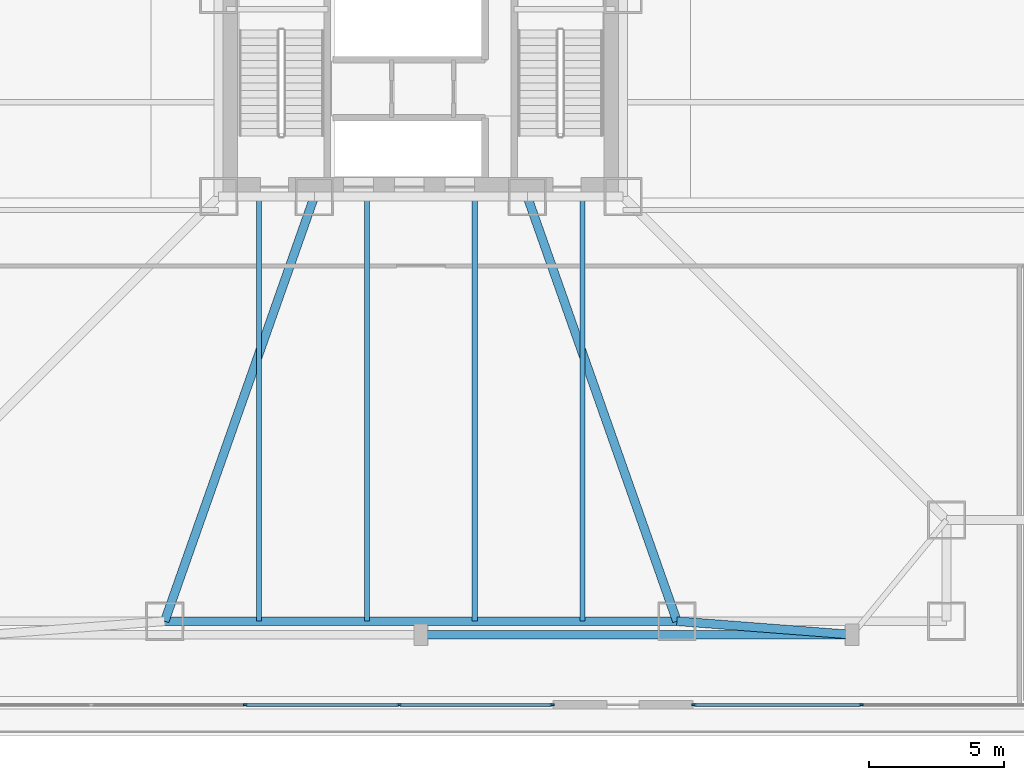
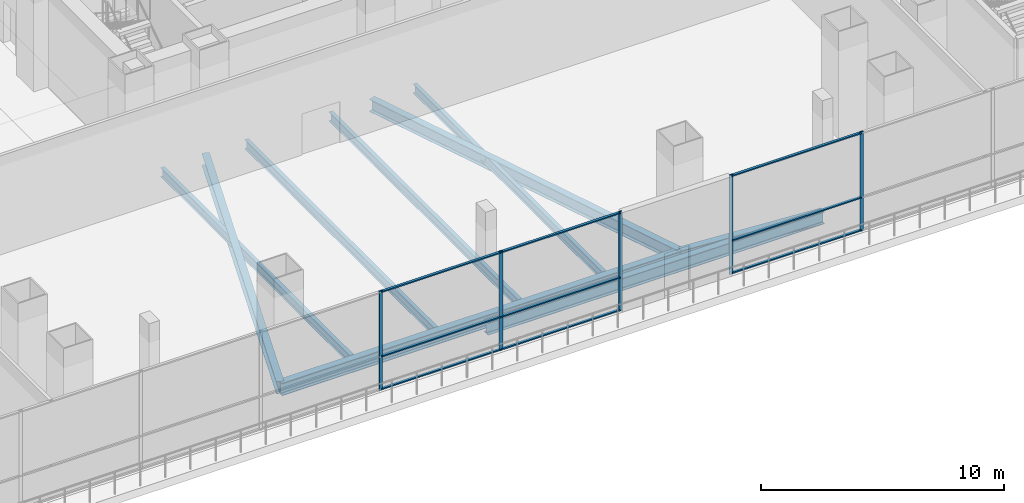
# One storey, part 9 of 35: 14 members, 9 beams, 2 elements without a shape of their own.
"""IFC4 building model written with IfcOpenShell, lengths in metres."""

import ifcopenshell
import ifcopenshell.guid

model = None  # the IFC model being written
_history = None  # IfcOwnerHistory: only IFC2X3 demands one
_inside = {}  # id of a spatial element -> (the spatial element, [elements in it])
_under = {}  # id of a project, library or spatial element -> (it, [spatial elements below it])
_declared = {}  # id of a project -> (the project, [libraries it declares])
_typed = {}  # id of a type object -> (the type object, [elements of that type])
_made_of = {}  # id of a material, layer set ... -> (it, [elements and type objects made of it])


def new_model(schema):
    """Start an empty IFC model of exactly this schema.

    Asked for "IFC4X3", IfcOpenShell would pick the latest addendum, in which some entities
    have other attributes; the version numbers below select the first issue.
    IFC2X3 requires an IfcOwnerHistory on every rooted entity: one is made here for all.
    """
    global model, _history
    if schema == "IFC4X3":
        model = ifcopenshell.file(schema_version=(4, 3, 0, 0))
    else:
        model = ifcopenshell.file(schema=schema)
    _inside.clear()
    _under.clear()
    _declared.clear()
    _typed.clear()
    _made_of.clear()
    _history = None
    if model.schema == "IFC2X3":
        org = make("IfcOrganization", Name="unknown")
        user = make(
            "IfcPersonAndOrganization",
            ThePerson=make("IfcPerson", FamilyName="unknown"),
            TheOrganization=org,
        )
        app = make(
            "IfcApplication",
            ApplicationDeveloper=org,
            Version="unknown",
            ApplicationFullName="unknown",
            ApplicationIdentifier="unknown",
        )
        _history = make(
            "IfcOwnerHistory",
            OwningUser=user,
            OwningApplication=app,
            ChangeAction="ADDED",
            CreationDate=0,
        )
    return model


def make(cls, **values):
    """One entity of the class cls with the attributes given. An attribute that is None is left unset."""
    return model.create_entity(
        cls, **{name: value for name, value in values.items() if value is not None}
    )


def rooted(cls, **values):
    """An entity with a GlobalId (a new one), such as an element, a storey or a relation."""
    return make(cls, GlobalId=ifcopenshell.guid.new(), OwnerHistory=_history, **values)


def si_unit(unit_type, name, prefix=None):
    """IfcSIUnit, for example si_unit("LENGTHUNIT", "METRE", prefix="MILLI")."""
    return make("IfcSIUnit", UnitType=unit_type, Prefix=prefix, Name=name)


def assignment(units):
    """IfcUnitAssignment: the units of a project."""
    return None if units is None else make("IfcUnitAssignment", Units=units)


def point(xyz):
    """IfcCartesianPoint."""
    return None if xyz is None else make("IfcCartesianPoint", Coordinates=xyz)


def direction(xyz):
    """IfcDirection."""
    return None if xyz is None else make("IfcDirection", DirectionRatios=xyz)


def frame(location, z_axis=None, x_axis=None):
    """IfcAxis2Placement3D, a coordinate frame: its origin and axes. An axis left out is left unset."""
    return make(
        "IfcAxis2Placement3D",
        Location=point(location),
        Axis=direction(z_axis),
        RefDirection=direction(x_axis),
    )


def frame_2d(location, x_axis=None):
    """IfcAxis2Placement2D, a coordinate frame in the plane: its origin and x axis."""
    return make(
        "IfcAxis2Placement2D", Location=point(location), RefDirection=direction(x_axis)
    )


def origin():
    """The frame at (0, 0, 0) with its axes left unset."""
    return frame((0.0, 0.0, 0.0))


def origin_2d():
    """The frame at (0, 0) in the plane with its x axis left unset."""
    return frame_2d((0.0, 0.0))


def place(relative_to, where):
    """IfcLocalPlacement: puts the frame where relative to a parent placement (None: the world)."""
    return make(
        "IfcLocalPlacement", PlacementRelTo=relative_to, RelativePlacement=where
    )


def context(
    kind, dimensions, precision=None, world=None, true_north=None, identifier=None
):
    """IfcGeometricRepresentationContext, for example the 3D "Model" context."""
    return make(
        "IfcGeometricRepresentationContext",
        ContextIdentifier=identifier,
        ContextType=kind,
        CoordinateSpaceDimension=dimensions,
        Precision=precision,
        WorldCoordinateSystem=world,
        TrueNorth=true_north,
    )


def subcontext(parent, identifier, kind, view, scale=None):
    """IfcGeometricRepresentationSubContext, for example "Body" below "Model"."""
    return make(
        "IfcGeometricRepresentationSubContext",
        ContextIdentifier=identifier,
        ContextType=kind,
        ParentContext=parent,
        TargetScale=scale,
        TargetView=view,
    )


def project(units=None, contexts=None):
    """IfcProject with its units and contexts."""
    return rooted(
        "IfcProject",
        Name="project",
        RepresentationContexts=contexts,
        UnitsInContext=assignment(units),
    )


def spatial(cls, under=None, at=None, **own):
    """A site, building, storey or space (cls), placed at a placement, below another one or the project."""
    s = rooted(cls, ObjectPlacement=at, **own)
    if under is not None:
        _under.setdefault(under.id(), (under, []))[1].append(s)
    return s


def profile(cls, at=None, kind="AREA", **sizes):
    """A parametric profile (cls). Its sizes go by their IFC names, for example OverallWidth=200.0."""
    return make(cls, ProfileType=kind, Position=at, **sizes)


def rectangle(**sizes):
    """IfcRectangleProfileDef."""
    return profile("IfcRectangleProfileDef", **sizes)


def i_section(**sizes):
    """IfcIShapeProfileDef."""
    return profile("IfcIShapeProfileDef", **sizes)


def extrude(swept, where, along, depth):
    """IfcExtrudedAreaSolid: the profile swept, set in the frame where, extruded along a direction by depth."""
    return make(
        "IfcExtrudedAreaSolid",
        SweptArea=swept,
        Position=where,
        ExtrudedDirection=direction(along),
        Depth=depth,
    )


def shape(context_of_items, identifier, shape_type, items):
    """IfcShapeRepresentation: the items that make up one representation, for example the "Body"."""
    return make(
        "IfcShapeRepresentation",
        ContextOfItems=context_of_items,
        RepresentationIdentifier=identifier,
        RepresentationType=shape_type,
        Items=items,
    )


def material(Name=None, Category=None):
    """IfcMaterial."""
    return make("IfcMaterial", Name=Name, Category=Category)


def layer(
    of_material, thickness, ventilated=None, Name=None, Category=None, Priority=None
):
    """IfcMaterialLayer: one layer of a wall or slab, of a material (None: an air gap)."""
    return make(
        "IfcMaterialLayer",
        Material=of_material,
        LayerThickness=thickness,
        IsVentilated=ventilated,
        Name=Name,
        Category=Category,
        Priority=Priority,
    )


def layer_set(layers, Name=None):
    """IfcMaterialLayerSet."""
    return make("IfcMaterialLayerSet", MaterialLayers=layers, LayerSetName=Name)


def material_profile(
    of_material, cross_section, Name=None, Category=None, Priority=None
):
    """IfcMaterialProfile: a cross section and its material."""
    return make(
        "IfcMaterialProfile",
        Name=Name,
        Material=of_material,
        Profile=cross_section,
        Priority=Priority,
        Category=Category,
    )


def profile_set(profiles, Name=None, composite=None):
    """IfcMaterialProfileSet."""
    return make(
        "IfcMaterialProfileSet",
        Name=Name,
        MaterialProfiles=profiles,
        CompositeProfile=composite,
    )


def made_of(thing, what):
    """Note that an element or type object is made of a material, layer set ...; save() writes the relation."""
    if what is not None:
        _made_of.setdefault(what.id(), (what, []))[1].append(thing)
    return thing


def type_object(cls, material=None, **own):
    """A type object (cls), such as IfcWallType, which elements share."""
    return made_of(rooted(cls, **own), material)


def element(
    cls,
    number,
    at=None,
    inside=None,
    cuts=None,
    type_object=None,
    material=None,
    context=None,
    identifier="Body",
    shape_type=None,
    held_by="IfcProductDefinitionShape",
    body=None,
    shapes=None,
    **own,
):
    """One element of the class cls, such as IfcWall. Its Tag is "e" and its number.

    at: its placement. inside: the storey or other place that contains it. cuts: it is an
    opening in that element (IfcRelVoidsElement). A single representation is given by context,
    identifier, shape_type and body (its items); several are given by shapes. held_by: the class
    of the entity that holds the representations. save() writes the other relations.
    """
    e = rooted(cls, Tag="e%d" % number, ObjectPlacement=at, **own)
    if body is not None:
        shapes = [shape(context, identifier, shape_type, body)]
    if shapes is not None:
        e.Representation = make(held_by, Representations=shapes)
    if inside is not None:
        _inside.setdefault(inside.id(), (inside, []))[1].append(e)
    if cuts is not None:
        rooted(
            "IfcRelVoidsElement", RelatingBuildingElement=cuts, RelatedOpeningElement=e
        )
    if type_object is not None:
        _typed.setdefault(type_object.id(), (type_object, []))[1].append(e)
    return made_of(e, material)


def aggregate(whole, parts):
    """IfcRelAggregates: a whole, such as a stair, and the parts it consists of."""
    return rooted("IfcRelAggregates", RelatingObject=whole, RelatedObjects=parts)


def save(model, path):
    """Write the relations noted so far, then the file.

    IfcRelAggregates (storeys below a building ...), IfcRelContainedInSpatialStructure (elements
    in a storey), IfcRelDefinesByType, IfcRelAssociatesMaterial and IfcRelDeclares: one each for
    every whole, place, type object, material and project.
    """
    for whole, parts in _under.values():
        aggregate(whole, parts)
    for where, things in _inside.values():
        rooted(
            "IfcRelContainedInSpatialStructure",
            RelatedElements=things,
            RelatingStructure=where,
        )
    for kind, things in _typed.values():
        rooted("IfcRelDefinesByType", RelatedObjects=things, RelatingType=kind)
    for what, things in _made_of.values():
        rooted("IfcRelAssociatesMaterial", RelatedObjects=things, RelatingMaterial=what)
    for by, libraries in _declared.values():
        rooted("IfcRelDeclares", RelatingContext=by, RelatedDefinitions=libraries)
    model.write(path)


model = new_model("IFC4")

# Units and contexts
model_context = context("Model", 3, precision=1e-05, world=origin(), true_north=direction((0.0, 1.0)))
body_context = subcontext(model_context, "Body", "Model", "MODEL_VIEW")
ifc_project = project(units=[si_unit("LENGTHUNIT", "METRE"), si_unit("AREAUNIT", "SQUARE_METRE"), si_unit("VOLUMEUNIT", "CUBIC_METRE"), si_unit("PLANEANGLEUNIT", "RADIAN"), si_unit("MASSUNIT", "GRAM", prefix="KILO")], contexts=[model_context])

# Site, building, storey
site_placement = place(None, origin())
site = spatial("IfcSite", under=ifc_project, at=site_placement, CompositionType="ELEMENT")
building_placement = place(site_placement, origin())
building = spatial("IfcBuilding", under=site, at=building_placement, Name="Trevonay Congress Spire", CompositionType="ELEMENT")
storey_placement = place(building_placement, frame((0.0, 0.0, 10.800048828125)))
storey = spatial("IfcBuildingStorey", under=building, at=storey_placement, Name="L02", CompositionType="ELEMENT", Elevation=10.800048828125)

# Beams
ifc_material_1 = material(Name="Steel ASTM A572 Grade 50", Category="steel")
ifc_material_profile_1 = material_profile(ifc_material_1, i_section(OverallWidth=0.324951171875, OverallDepth=0.615966796875, WebThickness=0.013916015625, FlangeThickness=0.021484375, FilletRadius=0.01806640625, at=origin_2d()), Name="W610x174")
ifc_profile_set_1 = profile_set([ifc_material_profile_1], Name="Steel ASTM A572 Grade 50")
beam_type_1 = type_object("IfcBeamType", Name="BM-GIRD-W610X174", PredefinedType="BEAM", material=ifc_profile_set_1)
for number, where, z_axis, x_axis, name in (
    (1, (-3.949951171875, -7.5, -0.7080078125), (-0.332352826786, -0.943155129619, 0.0), (0.943155129619, -0.332352826786, 0.0), "L02 structural beam BM-L02-RAD-S1"),
    (2, (3.949951171875, -7.5, -0.7080078125), (0.332352826786, -0.943155129619, 0.0), (0.943155129619, 0.332352826786, 0.0), "L02 structural beam BM-L02-RAD-S2"),
):
    element("IfcBeam", number, at=place(storey_placement, frame(where, z_axis=z_axis, x_axis=x_axis)), inside=storey, type_object=beam_type_1, Name=name, PredefinedType="BEAM", context=body_context, shape_type="SweptSolid", body=[
        extrude(i_section(OverallWidth=0.324951171875, OverallDepth=0.615966796875, WebThickness=0.013916015625, FlangeThickness=0.021484375, FilletRadius=0.01806640625, at=origin_2d()), origin(), (0.0, 0.0, 1.0), 16.69921875),
    ])
beam_1_placement = place(storey_placement, frame((0.0, -23.75, -0.7080078125), z_axis=(1.0, 0.0, 0.0), x_axis=(0.0, 1.0, 0.0)))
element("IfcBeam", 3, at=beam_1_placement, inside=storey, type_object=beam_type_1, Name="L02 structural beam BM-L02-PIL-S2", PredefinedType="BEAM", context=body_context, shape_type="SweptSolid", body=[
    extrude(i_section(OverallWidth=0.324951171875, OverallDepth=0.615966796875, WebThickness=0.013916015625, FlangeThickness=0.021484375, FilletRadius=0.01806640625, at=origin_2d()), origin(), (0.0, 0.0, 1.0), 16.0),
])
beam_2_placement = place(storey_placement, frame((9.5, -23.25, -0.7080078125), z_axis=(0.997054485502, -0.076696498885, 0.0), x_axis=(0.076696498885, 0.997054485502, 0.0)))
element("IfcBeam", 4, at=beam_2_placement, inside=storey, type_object=beam_type_1, Name="L02 structural beam BM-L02-PIL-TS2", PredefinedType="BEAM", context=body_context, shape_type="SweptSolid", body=[
    extrude(i_section(OverallWidth=0.324951171875, OverallDepth=0.615966796875, WebThickness=0.013916015625, FlangeThickness=0.021484375, FilletRadius=0.01806640625, at=origin_2d()), origin(), (0.0, 0.0, 1.0), 6.519287109375),
])
ifc_material_profile_2 = material_profile(ifc_material_1, i_section(OverallWidth=0.3291015625, OverallDepth=0.635009765625, WebThickness=0.017822265625, FlangeThickness=0.031005859375, FilletRadius=0.01806640625, at=origin_2d()), Name="W610x241")
ifc_profile_set_2 = profile_set([ifc_material_profile_2], Name="Steel ASTM A572 Grade 50")
beam_type_2 = type_object("IfcBeamType", Name="BM-GIRD-W610X241", PredefinedType="BEAM", material=ifc_profile_set_2)
beam_3_placement = place(storey_placement, frame((-9.5, -23.25, -0.717529296875), z_axis=(1.0, 0.0, 0.0), x_axis=(0.0, 1.0, 0.0)))
element("IfcBeam", 5, at=beam_3_placement, inside=storey, type_object=beam_type_2, Name="L02 structural beam BM-L02-MS2", PredefinedType="BEAM", context=body_context, shape_type="SweptSolid", body=[
    extrude(i_section(OverallWidth=0.3291015625, OverallDepth=0.635009765625, WebThickness=0.017822265625, FlangeThickness=0.031005859375, FilletRadius=0.01806640625, at=origin_2d()), origin(), (0.0, 0.0, 1.0), 19.0),
])

# Curtain wall, members
ifc_material_2 = material(Name="Pale Anodised Aluminium EN AW-6063-T6", Category="aluminium")
ifc_layer = layer(ifc_material_2, 0.179931640625, Name="Pale Anodised Aluminium EN AW-6063-T6")
ifc_layer_set = layer_set([ifc_layer], Name="Pale Anodised Aluminium EN AW-6063-T6")
curtain_wall_type = type_object("IfcCurtainWallType", Name="CW-SYS01-PODIUM-PALE-METAL", PredefinedType="NOTDEFINED", material=ifc_layer_set)
curtain_wall_1_placement = place(storey_placement, origin())
curtain_wall_1 = element("IfcCurtainWall", 6, at=curtain_wall_1_placement, inside=storey, type_object=curtain_wall_type, Name="L02 S1 podium curtain wall", PredefinedType="NOTDEFINED")
ifc_material_profile_3 = material_profile(ifc_material_2, rectangle(XDim=0.06005859375, YDim=0.159912109375, at=origin_2d()), Name="CW-MULLION-160-ALUMINIUM")
ifc_profile_set_3 = profile_set([ifc_material_profile_3], Name="Pale Anodised Aluminium EN AW-6063-T6")
member_type_1 = type_object("IfcMemberType", Name="CW-MULLION-160-ALUMINIUM", PredefinedType="MULLION", material=ifc_profile_set_3)
member_1_placement = place(storey_placement, frame((-6.514404296875, -26.35009765625, 0.0), z_axis=(0.0, 0.0, 1.0), x_axis=(0.0, 1.0, 0.0)))
member_1 = element("IfcMember", 7, at=member_1_placement, type_object=member_type_1, Name="CW01 mullion 6", PredefinedType="MULLION", context=body_context, shape_type="SweptSolid", body=[
    extrude(rectangle(XDim=0.06005859375, YDim=0.159912109375, at=origin_2d()), origin(), (0.0, 0.0, 1.0), 5.0),
])
member_2_placement = place(storey_placement, frame((-0.80712890625, -26.35009765625, 0.0), z_axis=(0.0, 0.0, 1.0), x_axis=(0.0, 1.0, 0.0)))
member_2 = element("IfcMember", 8, at=member_2_placement, type_object=member_type_1, Name="CW01 mullion 7", PredefinedType="MULLION", context=body_context, shape_type="SweptSolid", body=[
    extrude(rectangle(XDim=0.06005859375, YDim=0.159912109375, at=origin_2d()), origin(), (0.0, 0.0, 1.0), 5.0),
])
member_3_placement = place(storey_placement, frame((4.8701171875, -26.35009765625, 0.0), z_axis=(0.0, 0.0, 1.0), x_axis=(0.0, 1.0, 0.0)))
member_3 = element("IfcMember", 9, at=member_3_placement, type_object=member_type_1, Name="CW01 mullion 8", PredefinedType="MULLION", context=body_context, shape_type="SweptSolid", body=[
    extrude(rectangle(XDim=0.06005859375, YDim=0.159912109375, at=origin_2d()), origin(), (0.0, 0.0, 1.0), 5.0),
])

curtain_wall_2_placement = place(storey_placement, origin())
curtain_wall_2 = element("IfcCurtainWall", 10, at=curtain_wall_2_placement, inside=storey, type_object=curtain_wall_type, Name="L02 S2 podium curtain wall", PredefinedType="NOTDEFINED")
member_4_placement = place(storey_placement, frame((10.1298828125, -26.35009765625, 0.0), z_axis=(0.0, 0.0, 1.0), x_axis=(0.0, 1.0, 0.0)))
member_4 = element("IfcMember", 11, at=member_4_placement, type_object=member_type_1, Name="CW01 mullion 1", PredefinedType="MULLION", context=body_context, shape_type="SweptSolid", body=[
    extrude(rectangle(XDim=0.06005859375, YDim=0.159912109375, at=origin_2d()), origin(), (0.0, 0.0, 1.0), 5.0),
])
member_5_placement = place(storey_placement, frame((16.33740234375, -26.35009765625, 0.0), z_axis=(0.0, 0.0, 1.0), x_axis=(0.0, 1.0, 0.0)))
member_5 = element("IfcMember", 12, at=member_5_placement, type_object=member_type_1, Name="CW01 mullion 2", PredefinedType="MULLION", context=body_context, shape_type="SweptSolid", body=[
    extrude(rectangle(XDim=0.06005859375, YDim=0.159912109375, at=origin_2d()), origin(), (0.0, 0.0, 1.0), 5.0),
])

# Member
ifc_material_profile_4 = material_profile(ifc_material_2, rectangle(XDim=0.1201171875, YDim=0.06005859375, at=origin_2d()), Name="CW-TRANSOM-120-ALUMINIUM")
ifc_profile_set_4 = profile_set([ifc_material_profile_4], Name="Pale Anodised Aluminium EN AW-6063-T6")
member_type_2 = type_object("IfcMemberType", Name="CW-TRANSOM-120-ALUMINIUM", PredefinedType="USERDEFINED", material=ifc_profile_set_4)
member_6_placement = place(storey_placement, frame((-6.484375, -26.35009765625, 0.06005859375), z_axis=(1.0, 0.0, 0.0), x_axis=(0.0, 1.0, 0.0)))
member_6 = element("IfcMember", 13, at=member_6_placement, type_object=member_type_2, Name="CW01 transom 6.1", ObjectType="TRANSOM", PredefinedType="USERDEFINED", context=body_context, shape_type="SweptSolid", body=[
    extrude(rectangle(XDim=0.1201171875, YDim=0.06005859375, at=origin_2d()), origin(), (0.0, 0.0, 1.0), 5.647216796875),
])

member_7_placement = place(storey_placement, frame((-6.484375, -26.35009765625, 1.699951171875), z_axis=(1.0, 0.0, 0.0), x_axis=(0.0, 1.0, 0.0)))
member_7 = element("IfcMember", 14, at=member_7_placement, type_object=member_type_2, Name="CW01 transom 6.2", ObjectType="TRANSOM", PredefinedType="USERDEFINED", context=body_context, shape_type="SweptSolid", body=[
    extrude(rectangle(XDim=0.1201171875, YDim=0.06005859375, at=origin_2d()), origin(), (0.0, 0.0, 1.0), 5.647216796875),
])

member_8_placement = place(storey_placement, frame((-6.484375, -26.35009765625, 4.93994140625), z_axis=(1.0, 0.0, 0.0), x_axis=(0.0, 1.0, 0.0)))
member_8 = element("IfcMember", 15, at=member_8_placement, type_object=member_type_2, Name="CW01 transom 6.3", ObjectType="TRANSOM", PredefinedType="USERDEFINED", context=body_context, shape_type="SweptSolid", body=[
    extrude(rectangle(XDim=0.1201171875, YDim=0.06005859375, at=origin_2d()), origin(), (0.0, 0.0, 1.0), 5.647216796875),
])

member_9_placement = place(storey_placement, frame((-0.777099609375, -26.35009765625, 0.06005859375), z_axis=(1.0, 0.0, 0.0), x_axis=(0.0, 1.0, 0.0)))
member_9 = element("IfcMember", 16, at=member_9_placement, type_object=member_type_2, Name="CW01 transom 7.1", ObjectType="TRANSOM", PredefinedType="USERDEFINED", context=body_context, shape_type="SweptSolid", body=[
    extrude(rectangle(XDim=0.1201171875, YDim=0.06005859375, at=origin_2d()), origin(), (0.0, 0.0, 1.0), 5.6171875),
])

member_10_placement = place(storey_placement, frame((-0.777099609375, -26.35009765625, 1.699951171875), z_axis=(1.0, 0.0, 0.0), x_axis=(0.0, 1.0, 0.0)))
member_10 = element("IfcMember", 17, at=member_10_placement, type_object=member_type_2, Name="CW01 transom 7.2", ObjectType="TRANSOM", PredefinedType="USERDEFINED", context=body_context, shape_type="SweptSolid", body=[
    extrude(rectangle(XDim=0.1201171875, YDim=0.06005859375, at=origin_2d()), origin(), (0.0, 0.0, 1.0), 5.6171875),
])

member_11_placement = place(storey_placement, frame((-0.777099609375, -26.35009765625, 4.93994140625), z_axis=(1.0, 0.0, 0.0), x_axis=(0.0, 1.0, 0.0)))
member_11 = element("IfcMember", 18, at=member_11_placement, type_object=member_type_2, Name="CW01 transom 7.3", ObjectType="TRANSOM", PredefinedType="USERDEFINED", context=body_context, shape_type="SweptSolid", body=[
    extrude(rectangle(XDim=0.1201171875, YDim=0.06005859375, at=origin_2d()), origin(), (0.0, 0.0, 1.0), 5.6171875),
])

aggregate(curtain_wall_1, [member_1, member_2, member_3, member_6, member_7, member_8, member_9, member_10, member_11])

member_12_placement = place(storey_placement, frame((10.159912109375, -26.35009765625, 0.06005859375), z_axis=(1.0, 0.0, 0.0), x_axis=(0.0, 1.0, 0.0)))
member_12 = element("IfcMember", 19, at=member_12_placement, type_object=member_type_2, Name="CW01 transom 1.1", ObjectType="TRANSOM", PredefinedType="USERDEFINED", context=body_context, shape_type="SweptSolid", body=[
    extrude(rectangle(XDim=0.1201171875, YDim=0.06005859375, at=origin_2d()), origin(), (0.0, 0.0, 1.0), 6.147705078125),
])

member_13_placement = place(storey_placement, frame((10.159912109375, -26.35009765625, 1.699951171875), z_axis=(1.0, 0.0, 0.0), x_axis=(0.0, 1.0, 0.0)))
member_13 = element("IfcMember", 20, at=member_13_placement, type_object=member_type_2, Name="CW01 transom 1.2", ObjectType="TRANSOM", PredefinedType="USERDEFINED", context=body_context, shape_type="SweptSolid", body=[
    extrude(rectangle(XDim=0.1201171875, YDim=0.06005859375, at=origin_2d()), origin(), (0.0, 0.0, 1.0), 6.147705078125),
])

member_14_placement = place(storey_placement, frame((10.159912109375, -26.35009765625, 4.93994140625), z_axis=(1.0, 0.0, 0.0), x_axis=(0.0, 1.0, 0.0)))
member_14 = element("IfcMember", 21, at=member_14_placement, type_object=member_type_2, Name="CW01 transom 1.3", ObjectType="TRANSOM", PredefinedType="USERDEFINED", context=body_context, shape_type="SweptSolid", body=[
    extrude(rectangle(XDim=0.1201171875, YDim=0.06005859375, at=origin_2d()), origin(), (0.0, 0.0, 1.0), 6.147705078125),
])

aggregate(curtain_wall_2, [member_4, member_5, member_12, member_13, member_14])

# Beams
ifc_material_profile_5 = material_profile(ifc_material_1, i_section(OverallWidth=0.18994140625, OverallDepth=0.45703125, WebThickness=0.009033203125, FlangeThickness=0.014404296875, FilletRadius=0.013916015625, at=origin_2d()), Name="W460x74")
ifc_profile_set_5 = profile_set([ifc_material_profile_5], Name="Steel ASTM A572 Grade 50")
beam_type_3 = type_object("IfcBeamType", Name="JS-COMP-W460X74", PredefinedType="JOIST", material=ifc_profile_set_5)
for number, where, z_axis, x_axis, name in (
    (22, (-6.0, -23.25, -0.628662109375), (0.0, 1.0, 0.0), (-1.0, 0.0, 0.0), "L02 structural beam JS-L02-SH1"),
    (23, (-2.0, -23.25, -0.628662109375), (0.0, 1.0, 0.0), (-1.0, 0.0, 0.0), "L02 structural beam JS-L02-SH2"),
    (24, (2.0, -23.25, -0.628662109375), (0.0, 1.0, 0.0), (-1.0, 0.0, 0.0), "L02 structural beam JS-L02-SH3"),
    (25, (6.0, -23.25, -0.628662109375), (0.0, 1.0, 0.0), (-1.0, 0.0, 0.0), "L02 structural beam JS-L02-SH4"),
):
    element("IfcBeam", number, at=place(storey_placement, frame(where, z_axis=z_axis, x_axis=x_axis)), inside=storey, type_object=beam_type_3, Name=name, PredefinedType="JOIST", context=body_context, shape_type="SweptSolid", body=[
        extrude(i_section(OverallWidth=0.18994140625, OverallDepth=0.45703125, WebThickness=0.009033203125, FlangeThickness=0.014404296875, FilletRadius=0.013916015625, at=origin_2d()), origin(), (0.0, 0.0, 1.0), 15.75),
    ])

save(model, "model.ifc")
